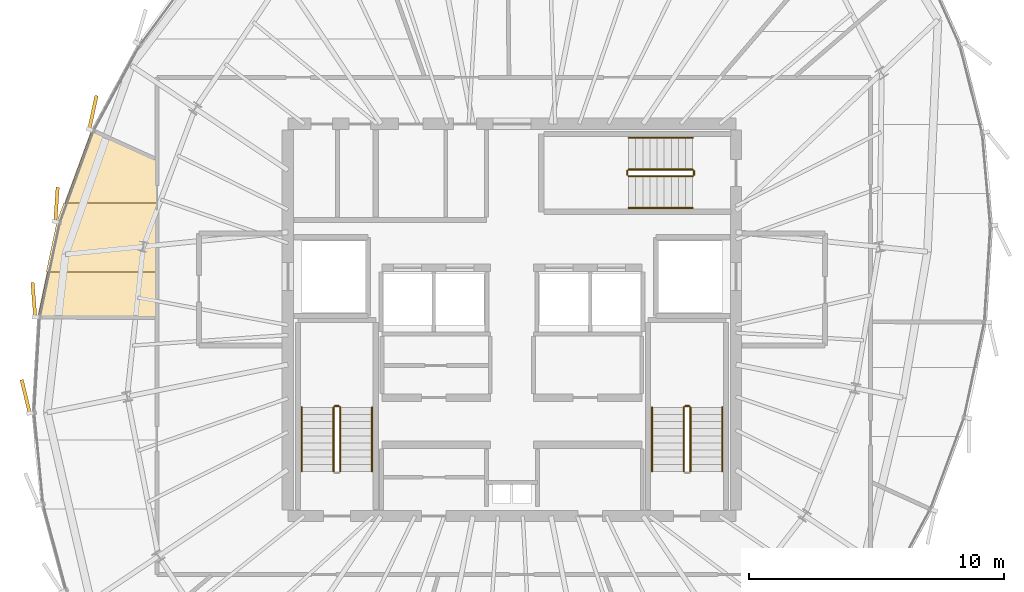
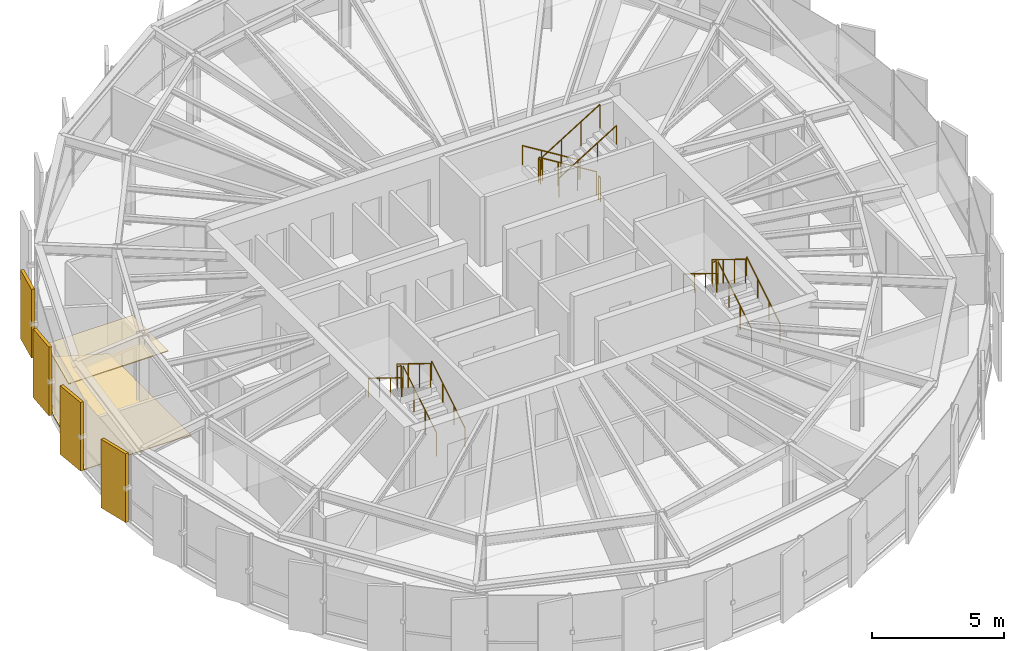
# One storey, part 29 of 30: 16 railings, 6 coverings.
"""IFC4 building model written with IfcOpenShell, lengths in metres."""

from ifc_helpers import new_model, si_unit, direction, frame, origin, origin_2d, place, context, subcontext, project, spatial, polyline, rectangle, circle, outline, extrude, source, transform, mapped, material, layer, layer_set, type_object, element, save


model = new_model("IFC4")

# Units and contexts
model_context = context("Model", 3, precision=1e-05, world=origin(), true_north=direction((0.0, 1.0)))
body_context = subcontext(model_context, "Body", "Model", "MODEL_VIEW")
ifc_project = project(units=[si_unit("LENGTHUNIT", "METRE"), si_unit("AREAUNIT", "SQUARE_METRE"), si_unit("VOLUMEUNIT", "CUBIC_METRE"), si_unit("PLANEANGLEUNIT", "RADIAN"), si_unit("MASSUNIT", "GRAM", prefix="KILO"), si_unit("THERMODYNAMICTEMPERATUREUNIT", "KELVIN")], contexts=[model_context])

# Site, building, storey
site_placement = place(None, origin())
site = spatial("IfcSite", under=ifc_project, at=site_placement, CompositionType="ELEMENT")
building_placement = place(site_placement, origin())
building = spatial("IfcBuilding", under=site, at=building_placement, Name="Kethvar Cultural Tower", CompositionType="ELEMENT")
storey_placement = place(building_placement, frame((0.0, 0.0, 297.39990234375)))
storey = spatial("IfcBuildingStorey", under=building, at=storey_placement, Name="L79", CompositionType="ELEMENT", Elevation=297.39990234375)

# Coverings
ifc_material_1 = material(Name="Acoustic Mineral Fibre Ceiling")
ifc_layer_1 = layer(ifc_material_1, 0.0400390625, Name="Acoustic Mineral Fibre Ceiling")
ifc_layer_set_1 = layer_set([ifc_layer_1], Name="Acoustic Mineral Fibre Ceiling (40 mm)")
covering_type_1 = type_object("IfcCoveringType", Name="CV-ACOUSTIC-CEIL", PredefinedType="CEILING", material=ifc_layer_set_1)
covering_1_placement = place(storey_placement, frame((0.0, 0.0, 2.780029296875)))
element("IfcCovering", 1, at=covering_1_placement, inside=storey, type_object=covering_type_1, Name="L79 Room 10 Acoustic Ceiling Panel", PredefinedType="CEILING", context=body_context, shape_type="SweptSolid", body=[
    extrude(outline(polyline([(28.92138671875, 31.655517578125), (29.19091796875, 32.3876953125), (32.8701171875, 32.3876953125), (32.8701171875, 29.677734375), (28.504150390625, 29.677734375), (28.92138671875, 31.655517578125)])), origin(), (0.0, 0.0, 1.0), 0.0400390625),
])
ifc_material_2 = material(Name="Honed Warm Limestone", Category="masonry")
ifc_layer_2 = layer(ifc_material_2, 0.030029296875, Name="Honed Warm Limestone", Category="masonry")
ifc_layer_set_2 = layer_set([ifc_layer_2], Name="Honed Warm Limestone (30 mm)")
covering_type_2 = type_object("IfcCoveringType", Name="CV-STONE-FLOOR", PredefinedType="FLOORING", material=ifc_layer_set_2)
covering_2_placement = place(storey_placement, origin())
element("IfcCovering", 2, at=covering_2_placement, inside=storey, type_object=covering_type_2, Name="L79 Room 10 Floor Finish", PredefinedType="FLOORING", context=body_context, shape_type="SweptSolid", body=[
    extrude(outline(polyline([(28.959716796875, 31.643310546875), (30.281494140625, 35.236328125), (32.830078125, 34.085693359375), (32.830078125, 27.90771484375), (28.177734375, 27.936767578125), (28.959716796875, 31.643310546875)])), origin(), (0.0, 0.0, 1.0), 0.030029296875),
])

# Railings
ifc_material_3 = material(Name="Steel S355J2", Category="steel")
railing_type_1 = type_object("IfcRailingType", Name="RL-STAIR-GUARD", PredefinedType="BALUSTRADE", material=ifc_material_3)
railing_1_placement = place(storey_placement, frame((40.050048828125, 21.85009765625, 0.172607421875)))
element("IfcRailing", 3, at=railing_1_placement, inside=storey, type_object=railing_type_1, Name="L79 ST-01 stair guard 1", PredefinedType="BALUSTRADE", context=body_context, shape_type="SweptSolid", body=[
    extrude(circle(Radius=0.02392578125, at=origin_2d()), frame((0.0, 0.0, 1.09619140625), z_axis=(0.0, 0.851400495292, 0.524516154772), x_axis=(-1.0, 0.0, 0.0)), (0.0, 0.0, 1.0), 2.9599609375),
    extrude(circle(Radius=0.02099609375, at=origin_2d()), origin(), (0.0, 0.0, 1.0), 1.072021484375),
    extrude(circle(Radius=0.02099609375, at=origin_2d()), frame((0.0, 0.840087890625, 0.517578125)), (0.0, 0.0, 1.0), 1.072021484375),
    extrude(circle(Radius=0.02099609375, at=origin_2d()), frame((0.0, 1.679931640625, 1.034912109375)), (0.0, 0.0, 1.0), 1.072021484375),
    extrude(circle(Radius=0.02099609375, at=origin_2d()), frame((0.0, 2.52001953125, 1.552490234375)), (0.0, 0.0, 1.0), 1.072021484375),
])
railing_2_placement = place(storey_placement, frame((40.0, 24.419921875, 1.72509765625)))
element("IfcRailing", 4, at=railing_2_placement, inside=storey, type_object=railing_type_1, Name="L79 ST-01 stair guard 2", PredefinedType="BALUSTRADE", context=body_context, shape_type="SweptSolid", body=[
    extrude(circle(Radius=0.02392578125, at=origin_2d()), frame((0.0, 0.0, 1.09619140625), z_axis=(-1.0, 0.0, 0.0), x_axis=(0.0, -1.0, 0.0)), (0.0, 0.0, 1.0), 0.159912109375),
    extrude(circle(Radius=0.02099609375, at=origin_2d()), origin(), (0.0, 0.0, 1.0), 1.072021484375),
    extrude(circle(Radius=0.02099609375, at=origin_2d()), frame((-0.159912109375, 0.0, 0.0)), (0.0, 0.0, 1.0), 1.072021484375),
])
railing_3_placement = place(storey_placement, frame((39.7900390625, 24.3701171875, 1.897705078125)))
element("IfcRailing", 5, at=railing_3_placement, inside=storey, type_object=railing_type_1, Name="L79 ST-01 stair guard 3", PredefinedType="BALUSTRADE", context=body_context, shape_type="SweptSolid", body=[
    extrude(circle(Radius=0.02392578125, at=origin_2d()), frame((0.0, 0.0, 1.09619140625), z_axis=(0.0, -0.851400495292, 0.524516154772), x_axis=(1.0, 0.0, 0.0)), (0.0, 0.0, 1.0), 2.9599609375),
    extrude(circle(Radius=0.02099609375, at=origin_2d()), origin(), (0.0, 0.0, 1.0), 1.072021484375),
    extrude(circle(Radius=0.02099609375, at=origin_2d()), frame((0.0, -0.840087890625, 0.517578125)), (0.0, 0.0, 1.0), 1.072021484375),
    extrude(circle(Radius=0.02099609375, at=origin_2d()), frame((0.0, -1.679931640625, 1.034912109375)), (0.0, 0.0, 1.0), 1.072021484375),
    extrude(circle(Radius=0.02099609375, at=origin_2d()), frame((0.0, -2.52001953125, 1.552490234375)), (0.0, 0.0, 1.0), 1.072021484375),
])
railing_4_placement = place(storey_placement, frame((53.81005859375, 21.85009765625, 0.172607421875)))
element("IfcRailing", 6, at=railing_4_placement, inside=storey, type_object=railing_type_1, Name="L79 ST-02 stair guard 1", PredefinedType="BALUSTRADE", context=body_context, shape_type="SweptSolid", body=[
    extrude(circle(Radius=0.02392578125, at=origin_2d()), frame((0.0, 0.0, 1.09619140625), z_axis=(0.0, 0.851400495292, 0.524516154772), x_axis=(-1.0, 0.0, 0.0)), (0.0, 0.0, 1.0), 2.9599609375),
    extrude(circle(Radius=0.02099609375, at=origin_2d()), origin(), (0.0, 0.0, 1.0), 1.072021484375),
    extrude(circle(Radius=0.02099609375, at=origin_2d()), frame((0.0, 0.840087890625, 0.517578125)), (0.0, 0.0, 1.0), 1.072021484375),
    extrude(circle(Radius=0.02099609375, at=origin_2d()), frame((0.0, 1.679931640625, 1.034912109375)), (0.0, 0.0, 1.0), 1.072021484375),
    extrude(circle(Radius=0.02099609375, at=origin_2d()), frame((0.0, 2.52001953125, 1.552490234375)), (0.0, 0.0, 1.0), 1.072021484375),
])
railing_5_placement = place(storey_placement, frame((53.760009765625, 24.419921875, 1.72509765625)))
element("IfcRailing", 7, at=railing_5_placement, inside=storey, type_object=railing_type_1, Name="L79 ST-02 stair guard 2", PredefinedType="BALUSTRADE", context=body_context, shape_type="SweptSolid", body=[
    extrude(circle(Radius=0.02392578125, at=origin_2d()), frame((0.0, 0.0, 1.09619140625), z_axis=(-1.0, 0.0, 0.0), x_axis=(0.0, -1.0, 0.0)), (0.0, 0.0, 1.0), 0.159912109375),
    extrude(circle(Radius=0.02099609375, at=origin_2d()), origin(), (0.0, 0.0, 1.0), 1.072021484375),
    extrude(circle(Radius=0.02099609375, at=origin_2d()), frame((-0.159912109375, 0.0, 0.0)), (0.0, 0.0, 1.0), 1.072021484375),
])
railing_6_placement = place(storey_placement, frame((53.550048828125, 24.3701171875, 1.897705078125)))
element("IfcRailing", 8, at=railing_6_placement, inside=storey, type_object=railing_type_1, Name="L79 ST-02 stair guard 3", PredefinedType="BALUSTRADE", context=body_context, shape_type="SweptSolid", body=[
    extrude(circle(Radius=0.02392578125, at=origin_2d()), frame((0.0, 0.0, 1.09619140625), z_axis=(0.0, -0.851400495292, 0.524516154772), x_axis=(1.0, 0.0, 0.0)), (0.0, 0.0, 1.0), 2.9599609375),
    extrude(circle(Radius=0.02099609375, at=origin_2d()), origin(), (0.0, 0.0, 1.0), 1.072021484375),
    extrude(circle(Radius=0.02099609375, at=origin_2d()), frame((0.0, -0.840087890625, 0.517578125)), (0.0, 0.0, 1.0), 1.072021484375),
    extrude(circle(Radius=0.02099609375, at=origin_2d()), frame((0.0, -1.679931640625, 1.034912109375)), (0.0, 0.0, 1.0), 1.072021484375),
    extrude(circle(Radius=0.02099609375, at=origin_2d()), frame((0.0, -2.52001953125, 1.552490234375)), (0.0, 0.0, 1.0), 1.072021484375),
])
railing_7_placement = place(storey_placement, frame((53.89990234375, 33.7099609375, 0.172607421875)))
element("IfcRailing", 9, at=railing_7_placement, inside=storey, type_object=railing_type_1, Name="L79 ST-03 stair guard 1", PredefinedType="BALUSTRADE", context=body_context, shape_type="SweptSolid", body=[
    extrude(circle(Radius=0.02392578125, at=origin_2d()), frame((0.0, 0.0, 1.09619140625), z_axis=(-0.851400495292, 0.0, 0.524516154772), x_axis=(0.0, -1.0, 0.0)), (0.0, 0.0, 1.0), 2.9599609375),
    extrude(circle(Radius=0.02099609375, at=origin_2d()), origin(), (0.0, 0.0, 1.0), 1.072021484375),
    extrude(circle(Radius=0.02099609375, at=origin_2d()), frame((-0.840087890625, 0.0, 0.517578125)), (0.0, 0.0, 1.0), 1.072021484375),
    extrude(circle(Radius=0.02099609375, at=origin_2d()), frame((-1.679931640625, 0.0, 1.034912109375)), (0.0, 0.0, 1.0), 1.072021484375),
    extrude(circle(Radius=0.02099609375, at=origin_2d()), frame((-2.52001953125, 0.0, 1.552490234375)), (0.0, 0.0, 1.0), 1.072021484375),
])
railing_8_placement = place(storey_placement, frame((51.330078125, 33.659912109375, 1.72509765625)))
element("IfcRailing", 10, at=railing_8_placement, inside=storey, type_object=railing_type_1, Name="L79 ST-03 stair guard 2", PredefinedType="BALUSTRADE", context=body_context, shape_type="SweptSolid", body=[
    extrude(circle(Radius=0.02392578125, at=origin_2d()), frame((0.0, 0.0, 1.09619140625), z_axis=(0.0, -1.0, 0.0), x_axis=(1.0, 0.0, 0.0)), (0.0, 0.0, 1.0), 0.159912109375),
    extrude(circle(Radius=0.02099609375, at=origin_2d()), origin(), (0.0, 0.0, 1.0), 1.072021484375),
    extrude(circle(Radius=0.02099609375, at=origin_2d()), frame((0.0, -0.159912109375, 0.0)), (0.0, 0.0, 1.0), 1.072021484375),
])
railing_9_placement = place(storey_placement, frame((51.3798828125, 33.449951171875, 1.897705078125)))
element("IfcRailing", 11, at=railing_9_placement, inside=storey, type_object=railing_type_1, Name="L79 ST-03 stair guard 3", PredefinedType="BALUSTRADE", context=body_context, shape_type="SweptSolid", body=[
    extrude(circle(Radius=0.02392578125, at=origin_2d()), frame((0.0, 0.0, 1.09619140625), z_axis=(0.851400495292, 0.0, 0.524516154772), x_axis=(0.0, 1.0, 0.0)), (0.0, 0.0, 1.0), 2.9599609375),
    extrude(circle(Radius=0.02099609375, at=origin_2d()), origin(), (0.0, 0.0, 1.0), 1.072021484375),
    extrude(circle(Radius=0.02099609375, at=origin_2d()), frame((0.840087890625, 0.0, 0.517578125)), (0.0, 0.0, 1.0), 1.072021484375),
    extrude(circle(Radius=0.02099609375, at=origin_2d()), frame((1.679931640625, 0.0, 1.034912109375)), (0.0, 0.0, 1.0), 1.072021484375),
    extrude(circle(Radius=0.02099609375, at=origin_2d()), frame((2.52001953125, 0.0, 1.552490234375)), (0.0, 0.0, 1.0), 1.072021484375),
])
railing_10_placement = place(storey_placement, frame((53.949951171875, 33.659912109375, 0.0)))
element("IfcRailing", 12, at=railing_10_placement, inside=storey, type_object=railing_type_1, Name="L79 ST-03 stair guard 4", PredefinedType="BALUSTRADE", context=body_context, shape_type="SweptSolid", body=[
    extrude(circle(Radius=0.02392578125, at=origin_2d()), frame((0.0, 0.0, 1.09619140625), z_axis=(0.0, -1.0, 0.0), x_axis=(1.0, 0.0, 0.0)), (0.0, 0.0, 1.0), 0.159912109375),
    extrude(circle(Radius=0.02099609375, at=origin_2d()), origin(), (0.0, 0.0, 1.0), 1.072021484375),
    extrude(circle(Radius=0.02099609375, at=origin_2d()), frame((0.0, -0.159912109375, 0.0)), (0.0, 0.0, 1.0), 1.072021484375),
])
railing_type_2 = type_object("IfcRailingType", Name="RL-STAIR-HANDRAIL", PredefinedType="HANDRAIL", material=ifc_material_3)
railing_11_placement = place(storey_placement, frame((41.300048828125, 21.85009765625, 0.172607421875)))
element("IfcRailing", 13, at=railing_11_placement, inside=storey, type_object=railing_type_2, Name="L79 ST-01 stair handrail 1", PredefinedType="HANDRAIL", context=body_context, shape_type="SweptSolid", body=[
    extrude(circle(Radius=0.02392578125, at=origin_2d()), frame((0.0, 0.0, 0.8759765625), z_axis=(0.0, 0.851400495292, 0.524516154772), x_axis=(-1.0, 0.0, 0.0)), (0.0, 0.0, 1.0), 2.9599609375),
    extrude(circle(Radius=0.02099609375, at=origin_2d()), origin(), (0.0, 0.0, 1.0), 0.851806640625),
    extrude(circle(Radius=0.02099609375, at=origin_2d()), frame((0.0, 0.840087890625, 0.517578125)), (0.0, 0.0, 1.0), 0.851806640625),
    extrude(circle(Radius=0.02099609375, at=origin_2d()), frame((0.0, 1.679931640625, 1.034912109375)), (0.0, 0.0, 1.0), 0.851806640625),
    extrude(circle(Radius=0.02099609375, at=origin_2d()), frame((0.0, 2.52001953125, 1.552490234375)), (0.0, 0.0, 1.0), 0.851806640625),
])
railing_12_placement = place(storey_placement, frame((38.5400390625, 24.3701171875, 1.897705078125)))
element("IfcRailing", 14, at=railing_12_placement, inside=storey, type_object=railing_type_2, Name="L79 ST-01 stair handrail 2", PredefinedType="HANDRAIL", context=body_context, shape_type="SweptSolid", body=[
    extrude(circle(Radius=0.02392578125, at=origin_2d()), frame((0.0, 0.0, 0.8759765625), z_axis=(0.0, -0.851400495292, 0.524516154772), x_axis=(1.0, 0.0, 0.0)), (0.0, 0.0, 1.0), 2.9599609375),
    extrude(circle(Radius=0.02099609375, at=origin_2d()), origin(), (0.0, 0.0, 1.0), 0.851806640625),
    extrude(circle(Radius=0.02099609375, at=origin_2d()), frame((0.0, -0.840087890625, 0.517578125)), (0.0, 0.0, 1.0), 0.851806640625),
    extrude(circle(Radius=0.02099609375, at=origin_2d()), frame((0.0, -1.679931640625, 1.034912109375)), (0.0, 0.0, 1.0), 0.851806640625),
    extrude(circle(Radius=0.02099609375, at=origin_2d()), frame((0.0, -2.52001953125, 1.552490234375)), (0.0, 0.0, 1.0), 0.851806640625),
])
railing_13_placement = place(storey_placement, frame((55.06005859375, 21.85009765625, 0.172607421875)))
element("IfcRailing", 15, at=railing_13_placement, inside=storey, type_object=railing_type_2, Name="L79 ST-02 stair handrail 1", PredefinedType="HANDRAIL", context=body_context, shape_type="SweptSolid", body=[
    extrude(circle(Radius=0.02392578125, at=origin_2d()), frame((0.0, 0.0, 0.8759765625), z_axis=(0.0, 0.851400495292, 0.524516154772), x_axis=(-1.0, 0.0, 0.0)), (0.0, 0.0, 1.0), 2.9599609375),
    extrude(circle(Radius=0.02099609375, at=origin_2d()), origin(), (0.0, 0.0, 1.0), 0.851806640625),
    extrude(circle(Radius=0.02099609375, at=origin_2d()), frame((0.0, 0.840087890625, 0.517578125)), (0.0, 0.0, 1.0), 0.851806640625),
    extrude(circle(Radius=0.02099609375, at=origin_2d()), frame((0.0, 1.679931640625, 1.034912109375)), (0.0, 0.0, 1.0), 0.851806640625),
    extrude(circle(Radius=0.02099609375, at=origin_2d()), frame((0.0, 2.52001953125, 1.552490234375)), (0.0, 0.0, 1.0), 0.851806640625),
])
railing_14_placement = place(storey_placement, frame((52.300048828125, 24.3701171875, 1.897705078125)))
element("IfcRailing", 16, at=railing_14_placement, inside=storey, type_object=railing_type_2, Name="L79 ST-02 stair handrail 2", PredefinedType="HANDRAIL", context=body_context, shape_type="SweptSolid", body=[
    extrude(circle(Radius=0.02392578125, at=origin_2d()), frame((0.0, 0.0, 0.8759765625), z_axis=(0.0, -0.851400495292, 0.524516154772), x_axis=(1.0, 0.0, 0.0)), (0.0, 0.0, 1.0), 2.9599609375),
    extrude(circle(Radius=0.02099609375, at=origin_2d()), origin(), (0.0, 0.0, 1.0), 0.851806640625),
    extrude(circle(Radius=0.02099609375, at=origin_2d()), frame((0.0, -0.840087890625, 0.517578125)), (0.0, 0.0, 1.0), 0.851806640625),
    extrude(circle(Radius=0.02099609375, at=origin_2d()), frame((0.0, -1.679931640625, 1.034912109375)), (0.0, 0.0, 1.0), 0.851806640625),
    extrude(circle(Radius=0.02099609375, at=origin_2d()), frame((0.0, -2.52001953125, 1.552490234375)), (0.0, 0.0, 1.0), 0.851806640625),
])
railing_15_placement = place(storey_placement, frame((53.89990234375, 34.9599609375, 0.172607421875)))
element("IfcRailing", 17, at=railing_15_placement, inside=storey, type_object=railing_type_2, Name="L79 ST-03 stair handrail 1", PredefinedType="HANDRAIL", context=body_context, shape_type="SweptSolid", body=[
    extrude(circle(Radius=0.02392578125, at=origin_2d()), frame((0.0, 0.0, 0.8759765625), z_axis=(-0.851400495292, 0.0, 0.524516154772), x_axis=(0.0, -1.0, 0.0)), (0.0, 0.0, 1.0), 2.9599609375),
    extrude(circle(Radius=0.02099609375, at=origin_2d()), origin(), (0.0, 0.0, 1.0), 0.851806640625),
    extrude(circle(Radius=0.02099609375, at=origin_2d()), frame((-0.840087890625, 0.0, 0.517578125)), (0.0, 0.0, 1.0), 0.851806640625),
    extrude(circle(Radius=0.02099609375, at=origin_2d()), frame((-1.679931640625, 0.0, 1.034912109375)), (0.0, 0.0, 1.0), 0.851806640625),
    extrude(circle(Radius=0.02099609375, at=origin_2d()), frame((-2.52001953125, 0.0, 1.552490234375)), (0.0, 0.0, 1.0), 0.851806640625),
])
railing_16_placement = place(storey_placement, frame((51.3798828125, 32.199951171875, 1.897705078125)))
element("IfcRailing", 18, at=railing_16_placement, inside=storey, type_object=railing_type_2, Name="L79 ST-03 stair handrail 2", PredefinedType="HANDRAIL", context=body_context, shape_type="SweptSolid", body=[
    extrude(circle(Radius=0.02392578125, at=origin_2d()), frame((0.0, 0.0, 0.8759765625), z_axis=(0.851400495292, 0.0, 0.524516154772), x_axis=(0.0, 1.0, 0.0)), (0.0, 0.0, 1.0), 2.9599609375),
    extrude(circle(Radius=0.02099609375, at=origin_2d()), origin(), (0.0, 0.0, 1.0), 0.851806640625),
    extrude(circle(Radius=0.02099609375, at=origin_2d()), frame((0.840087890625, 0.0, 0.517578125)), (0.0, 0.0, 1.0), 0.851806640625),
    extrude(circle(Radius=0.02099609375, at=origin_2d()), frame((1.679931640625, 0.0, 1.034912109375)), (0.0, 0.0, 1.0), 0.851806640625),
    extrude(circle(Radius=0.02099609375, at=origin_2d()), frame((2.52001953125, 0.0, 1.552490234375)), (0.0, 0.0, 1.0), 0.851806640625),
])

# Coverings
ifc_material_4 = material(Name="Extruded Architectural Terracotta", Category="masonry")
ifc_layer_3 = layer(ifc_material_4, 0.135009765625, Name="Extruded Architectural Terracotta", Category="masonry")
ifc_layer_set_3 = layer_set([ifc_layer_3], Name="Extruded Architectural Terracotta (135 mm)")
covering_type_3 = type_object("IfcCoveringType", Name="Terracotta Facade Fin FIN-03", PredefinedType="CLADDING", material=ifc_layer_set_3)
shared_shape = source(origin(), body_context, "Body", "SweptSolid", [
    extrude(rectangle(XDim=1.35009765625, YDim=0.135009765625, at=origin_2d()), origin(), (0.0, 0.0, 1.0), 3.169921875),
])
for number, where, z_axis, x_axis, name in (
    (19, (30.337646484375, 35.950927734375, 0.02001953125), (0.0, 0.0, 1.0), (0.211154201982, 0.977452762534, 0.0), "L79 Vertical Terracotta Fin 2.4"),
    (20, (28.907958984375, 32.338623046875, 0.02001953125), (0.0, 0.0, 1.0), (0.068189418384, 0.997672392732, 0.0), "L79 Vertical Terracotta Fin 2.5"),
    (21, (28.018798828125, 28.594482421875, 0.02001953125), (0.0, 0.0, 1.0), (-0.080546860903, 0.996750823024, 0.0), "L79 Vertical Terracotta Fin 2.6"),
    (22, (27.697998046875, 24.79443359375, 0.02001953125), (0.0, 0.0, 1.0), (-0.234463499069, 0.972124923868, 0.0), "L79 Vertical Terracotta Fin 3.1"),
):
    element("IfcCovering", number, at=place(storey_placement, frame(where, z_axis=z_axis, x_axis=x_axis)), inside=storey, type_object=covering_type_3, Name=name, PredefinedType="CLADDING", context=body_context, shape_type="MappedRepresentation", body=[
        mapped(shared_shape, transform((0.0, 0.0, 0.0), scale=1.0)),
    ])

save(model, "model.ifc")
